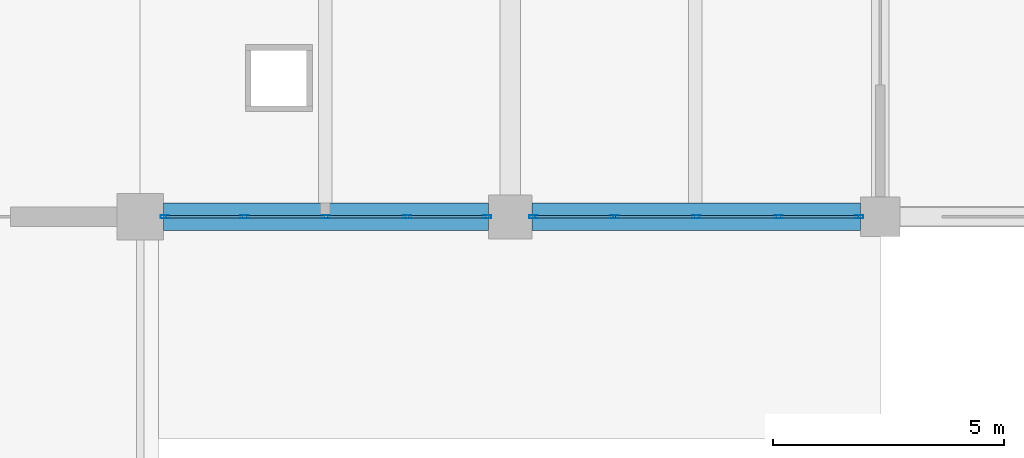
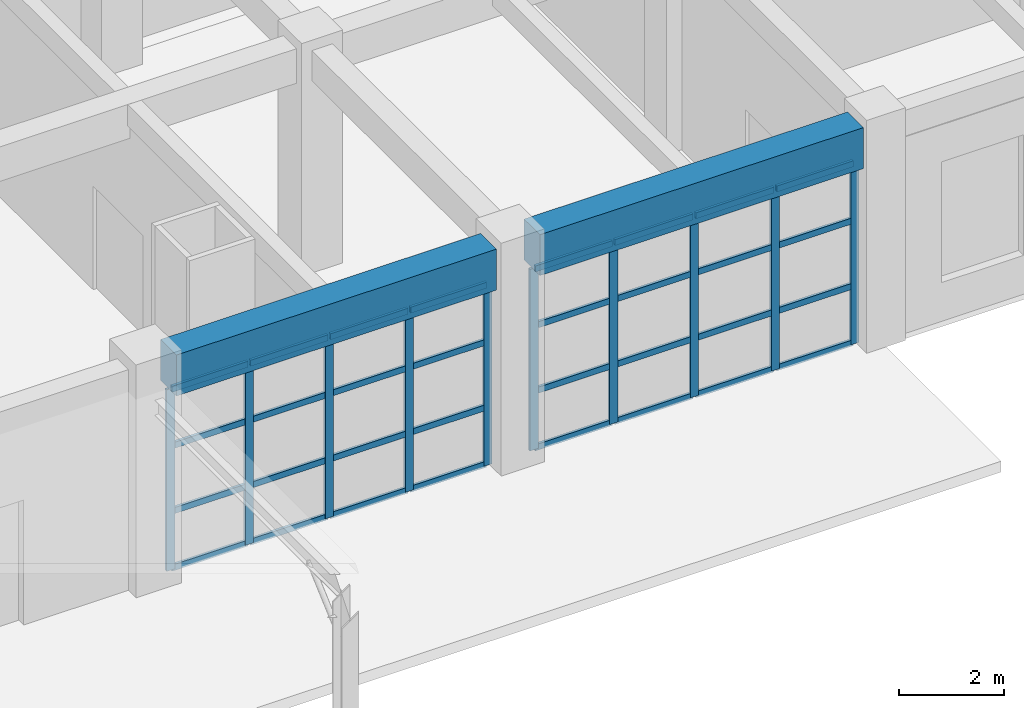
# One storey, part 31 of 95: 42 members, 2 beams, 2 elements without a shape of their own.
"""IFC4 building model written with IfcOpenShell, lengths in metres."""

from ifc_helpers import new_model, si_unit, direction, frame, origin, origin_2d, place, context, subcontext, project, spatial, rectangle, hollow_rectangle, extrude, material, material_profile, profile_set, type_object, element, aggregate, save


model = new_model("IFC4")

# Units and contexts
model_context = context("Model", 3, precision=1e-05, world=origin(), true_north=direction((0.0, 1.0)))
body_context = subcontext(model_context, "Body", "Model", "MODEL_VIEW")
ifc_project = project(units=[si_unit("LENGTHUNIT", "METRE"), si_unit("AREAUNIT", "SQUARE_METRE"), si_unit("VOLUMEUNIT", "CUBIC_METRE"), si_unit("PLANEANGLEUNIT", "RADIAN"), si_unit("MASSUNIT", "GRAM", prefix="KILO")], contexts=[model_context])

# Site, building, storey
site_placement = place(None, origin())
site = spatial("IfcSite", under=ifc_project, at=site_placement, CompositionType="ELEMENT")
building_placement = place(site_placement, origin())
building = spatial("IfcBuilding", under=site, at=building_placement, Name="Zantavel Square City Hall", CompositionType="ELEMENT")
storey_placement = place(building_placement, origin())
storey = spatial("IfcBuildingStorey", under=building, at=storey_placement, Name="L01", CompositionType="ELEMENT", Elevation=0.0)

# Curtain wall, members
ifc_material_1 = material(Name="Anodised aluminium 6063-T6", Category="aluminium")
curtain_wall_type_1 = type_object("IfcCurtainWallType", Name="Curtain Wall TRV1 7100x4210", PredefinedType="USERDEFINED", material=ifc_material_1)
curtain_wall_1_placement = place(storey_placement, origin())
curtain_wall_1 = element("IfcCurtainWall", 1, at=curtain_wall_1_placement, inside=storey, type_object=curtain_wall_type_1, Name="L01 Glazed Curtain Wall CW-L01-001", ObjectType="GLAZED CURTAIN WALL", PredefinedType="USERDEFINED")
ifc_material_profile_1 = material_profile(ifc_material_1, hollow_rectangle(XDim=0.06494140625, YDim=0.179931640625, WallThickness=0.00390625, at=origin_2d()), Name="ALU 65x180x4")
ifc_profile_set_1 = profile_set([ifc_material_profile_1], Name="Anodised aluminium 6063-T6")
member_type_1 = type_object("IfcMemberType", Name="CW Mullion ALU 65x180x4", PredefinedType="MULLION", material=ifc_profile_set_1)
member_1_placement = place(storey_placement, frame((111.544921875, 30.39990234375, 0.0), z_axis=(0.0, 0.0, 1.0), x_axis=(0.0, -1.0, 0.0)))
member_1 = element("IfcMember", 2, at=member_1_placement, type_object=member_type_1, Name="CW-001 mullion 1", PredefinedType="MULLION", context=body_context, shape_type="SweptSolid", body=[
    extrude(hollow_rectangle(XDim=0.06494140625, YDim=0.179931640625, WallThickness=0.00390625, at=origin_2d()), origin(), (0.0, 0.0, 1.0), 4.2099609375),
])
member_2_placement = place(storey_placement, frame((109.800048828125, 30.39990234375, 0.0), z_axis=(0.0, 0.0, 1.0), x_axis=(0.0, -1.0, 0.0)))
member_2 = element("IfcMember", 3, at=member_2_placement, type_object=member_type_1, Name="CW-001 mullion 2", PredefinedType="MULLION", context=body_context, shape_type="SweptSolid", body=[
    extrude(hollow_rectangle(XDim=0.06494140625, YDim=0.179931640625, WallThickness=0.00390625, at=origin_2d()), origin(), (0.0, 0.0, 1.0), 4.2099609375),
])
member_3_placement = place(storey_placement, frame((108.02490234375, 30.39990234375, 0.0), z_axis=(0.0, 0.0, 1.0), x_axis=(0.0, -1.0, 0.0)))
member_3 = element("IfcMember", 4, at=member_3_placement, type_object=member_type_1, Name="CW-001 mullion 3", PredefinedType="MULLION", context=body_context, shape_type="SweptSolid", body=[
    extrude(hollow_rectangle(XDim=0.06494140625, YDim=0.179931640625, WallThickness=0.00390625, at=origin_2d()), origin(), (0.0, 0.0, 1.0), 4.2099609375),
])
member_4_placement = place(storey_placement, frame((106.25, 30.39990234375, 0.0), z_axis=(0.0, 0.0, 1.0), x_axis=(0.0, -1.0, 0.0)))
member_4 = element("IfcMember", 5, at=member_4_placement, type_object=member_type_1, Name="CW-001 mullion 4", PredefinedType="MULLION", context=body_context, shape_type="SweptSolid", body=[
    extrude(hollow_rectangle(XDim=0.06494140625, YDim=0.179931640625, WallThickness=0.00390625, at=origin_2d()), origin(), (0.0, 0.0, 1.0), 4.2099609375),
])
member_5_placement = place(storey_placement, frame((104.5048828125, 30.39990234375, 0.0), z_axis=(0.0, 0.0, 1.0), x_axis=(0.0, -1.0, 0.0)))
member_5 = element("IfcMember", 6, at=member_5_placement, type_object=member_type_1, Name="CW-001 mullion 5", PredefinedType="MULLION", context=body_context, shape_type="SweptSolid", body=[
    extrude(hollow_rectangle(XDim=0.06494140625, YDim=0.179931640625, WallThickness=0.00390625, at=origin_2d()), origin(), (0.0, 0.0, 1.0), 4.2099609375),
])

curtain_wall_type_2 = type_object("IfcCurtainWallType", Name="Curtain Wall TRV1 7025x4210", PredefinedType="USERDEFINED", material=ifc_material_1)
curtain_wall_2_placement = place(storey_placement, origin())
curtain_wall_2 = element("IfcCurtainWall", 7, at=curtain_wall_2_placement, inside=storey, type_object=curtain_wall_type_2, Name="L01 Glazed Curtain Wall CW-L01-002", ObjectType="GLAZED CURTAIN WALL", PredefinedType="USERDEFINED")
member_6_placement = place(storey_placement, frame((103.4951171875, 30.39990234375, 0.0), z_axis=(0.0, 0.0, 1.0), x_axis=(0.0, -1.0, 0.0)))
member_6 = element("IfcMember", 8, at=member_6_placement, type_object=member_type_1, Name="CW-002 mullion 1", PredefinedType="MULLION", context=body_context, shape_type="SweptSolid", body=[
    extrude(hollow_rectangle(XDim=0.06494140625, YDim=0.179931640625, WallThickness=0.00390625, at=origin_2d()), origin(), (0.0, 0.0, 1.0), 4.2099609375),
])
member_7_placement = place(storey_placement, frame((101.768798828125, 30.39990234375, 0.0), z_axis=(0.0, 0.0, 1.0), x_axis=(0.0, -1.0, 0.0)))
member_7 = element("IfcMember", 9, at=member_7_placement, type_object=member_type_1, Name="CW-002 mullion 2", PredefinedType="MULLION", context=body_context, shape_type="SweptSolid", body=[
    extrude(hollow_rectangle(XDim=0.06494140625, YDim=0.179931640625, WallThickness=0.00390625, at=origin_2d()), origin(), (0.0, 0.0, 1.0), 4.2099609375),
])
member_8_placement = place(storey_placement, frame((100.012451171875, 30.39990234375, 0.0), z_axis=(0.0, 0.0, 1.0), x_axis=(0.0, -1.0, 0.0)))
member_8 = element("IfcMember", 10, at=member_8_placement, type_object=member_type_1, Name="CW-002 mullion 3", PredefinedType="MULLION", context=body_context, shape_type="SweptSolid", body=[
    extrude(hollow_rectangle(XDim=0.06494140625, YDim=0.179931640625, WallThickness=0.00390625, at=origin_2d()), origin(), (0.0, 0.0, 1.0), 4.2099609375),
])
member_9_placement = place(storey_placement, frame((98.25634765625, 30.39990234375, 0.0), z_axis=(0.0, 0.0, 1.0), x_axis=(0.0, -1.0, 0.0)))
member_9 = element("IfcMember", 11, at=member_9_placement, type_object=member_type_1, Name="CW-002 mullion 4", PredefinedType="MULLION", context=body_context, shape_type="SweptSolid", body=[
    extrude(hollow_rectangle(XDim=0.06494140625, YDim=0.179931640625, WallThickness=0.00390625, at=origin_2d()), origin(), (0.0, 0.0, 1.0), 4.2099609375),
])
member_10_placement = place(storey_placement, frame((96.530029296875, 30.39990234375, 0.0), z_axis=(0.0, 0.0, 1.0), x_axis=(0.0, -1.0, 0.0)))
member_10 = element("IfcMember", 12, at=member_10_placement, type_object=member_type_1, Name="CW-002 mullion 5", PredefinedType="MULLION", context=body_context, shape_type="SweptSolid", body=[
    extrude(hollow_rectangle(XDim=0.06494140625, YDim=0.179931640625, WallThickness=0.00390625, at=origin_2d()), origin(), (0.0, 0.0, 1.0), 4.2099609375),
])

# Member
ifc_material_profile_2 = material_profile(ifc_material_1, hollow_rectangle(XDim=0.06005859375, YDim=0.139892578125, WallThickness=0.00390625, at=origin_2d()), Name="ALU 60x140x4")
ifc_profile_set_2 = profile_set([ifc_material_profile_2], Name="Anodised aluminium 6063-T6")
member_type_2 = type_object("IfcMemberType", Name="CW Transom ALU 60x140x4", PredefinedType="USERDEFINED", material=ifc_profile_set_2)
member_11_placement = place(storey_placement, frame((111.514892578125, 30.39990234375, 0.030029296875), z_axis=(-1.0, 0.0, 0.0), x_axis=(0.0, -1.0, 0.0)))
member_11 = element("IfcMember", 13, at=member_11_placement, type_object=member_type_2, Name="CW-001 transom 1.1", ObjectType="TRANSOM", PredefinedType="USERDEFINED", context=body_context, shape_type="SweptSolid", body=[
    extrude(hollow_rectangle(XDim=0.06005859375, YDim=0.139892578125, WallThickness=0.00390625, at=origin_2d()), origin(), (0.0, 0.0, 1.0), 1.684814453125),
])

member_12_placement = place(storey_placement, frame((111.514892578125, 30.39990234375, 1.346923828125), z_axis=(-1.0, 0.0, 0.0), x_axis=(0.0, -1.0, 0.0)))
member_12 = element("IfcMember", 14, at=member_12_placement, type_object=member_type_2, Name="CW-001 transom 1.2", ObjectType="TRANSOM", PredefinedType="USERDEFINED", context=body_context, shape_type="SweptSolid", body=[
    extrude(hollow_rectangle(XDim=0.06005859375, YDim=0.139892578125, WallThickness=0.00390625, at=origin_2d()), origin(), (0.0, 0.0, 1.0), 1.684814453125),
])

member_13_placement = place(storey_placement, frame((111.514892578125, 30.39990234375, 2.863037109375), z_axis=(-1.0, 0.0, 0.0), x_axis=(0.0, -1.0, 0.0)))
member_13 = element("IfcMember", 15, at=member_13_placement, type_object=member_type_2, Name="CW-001 transom 1.3", ObjectType="TRANSOM", PredefinedType="USERDEFINED", context=body_context, shape_type="SweptSolid", body=[
    extrude(hollow_rectangle(XDim=0.06005859375, YDim=0.139892578125, WallThickness=0.00390625, at=origin_2d()), origin(), (0.0, 0.0, 1.0), 1.684814453125),
])

member_14_placement = place(storey_placement, frame((111.514892578125, 30.39990234375, 4.179931640625), z_axis=(-1.0, 0.0, 0.0), x_axis=(0.0, -1.0, 0.0)))
member_14 = element("IfcMember", 16, at=member_14_placement, type_object=member_type_2, Name="CW-001 transom 1.4", ObjectType="TRANSOM", PredefinedType="USERDEFINED", context=body_context, shape_type="SweptSolid", body=[
    extrude(hollow_rectangle(XDim=0.06005859375, YDim=0.139892578125, WallThickness=0.00390625, at=origin_2d()), origin(), (0.0, 0.0, 1.0), 1.684814453125),
])

member_15_placement = place(storey_placement, frame((109.77001953125, 30.39990234375, 0.030029296875), z_axis=(-1.0, 0.0, 0.0), x_axis=(0.0, -1.0, 0.0)))
member_15 = element("IfcMember", 17, at=member_15_placement, type_object=member_type_2, Name="CW-001 transom 2.1", ObjectType="TRANSOM", PredefinedType="USERDEFINED", context=body_context, shape_type="SweptSolid", body=[
    extrude(hollow_rectangle(XDim=0.06005859375, YDim=0.139892578125, WallThickness=0.00390625, at=origin_2d()), origin(), (0.0, 0.0, 1.0), 1.715087890625),
])

member_16_placement = place(storey_placement, frame((109.77001953125, 30.39990234375, 1.346923828125), z_axis=(-1.0, 0.0, 0.0), x_axis=(0.0, -1.0, 0.0)))
member_16 = element("IfcMember", 18, at=member_16_placement, type_object=member_type_2, Name="CW-001 transom 2.2", ObjectType="TRANSOM", PredefinedType="USERDEFINED", context=body_context, shape_type="SweptSolid", body=[
    extrude(hollow_rectangle(XDim=0.06005859375, YDim=0.139892578125, WallThickness=0.00390625, at=origin_2d()), origin(), (0.0, 0.0, 1.0), 1.715087890625),
])

member_17_placement = place(storey_placement, frame((109.77001953125, 30.39990234375, 2.863037109375), z_axis=(-1.0, 0.0, 0.0), x_axis=(0.0, -1.0, 0.0)))
member_17 = element("IfcMember", 19, at=member_17_placement, type_object=member_type_2, Name="CW-001 transom 2.3", ObjectType="TRANSOM", PredefinedType="USERDEFINED", context=body_context, shape_type="SweptSolid", body=[
    extrude(hollow_rectangle(XDim=0.06005859375, YDim=0.139892578125, WallThickness=0.00390625, at=origin_2d()), origin(), (0.0, 0.0, 1.0), 1.715087890625),
])

member_18_placement = place(storey_placement, frame((109.77001953125, 30.39990234375, 4.179931640625), z_axis=(-1.0, 0.0, 0.0), x_axis=(0.0, -1.0, 0.0)))
member_18 = element("IfcMember", 20, at=member_18_placement, type_object=member_type_2, Name="CW-001 transom 2.4", ObjectType="TRANSOM", PredefinedType="USERDEFINED", context=body_context, shape_type="SweptSolid", body=[
    extrude(hollow_rectangle(XDim=0.06005859375, YDim=0.139892578125, WallThickness=0.00390625, at=origin_2d()), origin(), (0.0, 0.0, 1.0), 1.715087890625),
])

member_19_placement = place(storey_placement, frame((107.9951171875, 30.39990234375, 0.030029296875), z_axis=(-1.0, 0.0, 0.0), x_axis=(0.0, -1.0, 0.0)))
member_19 = element("IfcMember", 21, at=member_19_placement, type_object=member_type_2, Name="CW-001 transom 3.1", ObjectType="TRANSOM", PredefinedType="USERDEFINED", context=body_context, shape_type="SweptSolid", body=[
    extrude(hollow_rectangle(XDim=0.06005859375, YDim=0.139892578125, WallThickness=0.00390625, at=origin_2d()), origin(), (0.0, 0.0, 1.0), 1.715087890625),
])

member_20_placement = place(storey_placement, frame((107.9951171875, 30.39990234375, 1.346923828125), z_axis=(-1.0, 0.0, 0.0), x_axis=(0.0, -1.0, 0.0)))
member_20 = element("IfcMember", 22, at=member_20_placement, type_object=member_type_2, Name="CW-001 transom 3.2", ObjectType="TRANSOM", PredefinedType="USERDEFINED", context=body_context, shape_type="SweptSolid", body=[
    extrude(hollow_rectangle(XDim=0.06005859375, YDim=0.139892578125, WallThickness=0.00390625, at=origin_2d()), origin(), (0.0, 0.0, 1.0), 1.715087890625),
])

member_21_placement = place(storey_placement, frame((107.9951171875, 30.39990234375, 2.863037109375), z_axis=(-1.0, 0.0, 0.0), x_axis=(0.0, -1.0, 0.0)))
member_21 = element("IfcMember", 23, at=member_21_placement, type_object=member_type_2, Name="CW-001 transom 3.3", ObjectType="TRANSOM", PredefinedType="USERDEFINED", context=body_context, shape_type="SweptSolid", body=[
    extrude(hollow_rectangle(XDim=0.06005859375, YDim=0.139892578125, WallThickness=0.00390625, at=origin_2d()), origin(), (0.0, 0.0, 1.0), 1.715087890625),
])

member_22_placement = place(storey_placement, frame((107.9951171875, 30.39990234375, 4.179931640625), z_axis=(-1.0, 0.0, 0.0), x_axis=(0.0, -1.0, 0.0)))
member_22 = element("IfcMember", 24, at=member_22_placement, type_object=member_type_2, Name="CW-001 transom 3.4", ObjectType="TRANSOM", PredefinedType="USERDEFINED", context=body_context, shape_type="SweptSolid", body=[
    extrude(hollow_rectangle(XDim=0.06005859375, YDim=0.139892578125, WallThickness=0.00390625, at=origin_2d()), origin(), (0.0, 0.0, 1.0), 1.715087890625),
])

member_23_placement = place(storey_placement, frame((106.219970703125, 30.39990234375, 0.030029296875), z_axis=(-1.0, 0.0, 0.0), x_axis=(0.0, -1.0, 0.0)))
member_23 = element("IfcMember", 25, at=member_23_placement, type_object=member_type_2, Name="CW-001 transom 4.1", ObjectType="TRANSOM", PredefinedType="USERDEFINED", context=body_context, shape_type="SweptSolid", body=[
    extrude(hollow_rectangle(XDim=0.06005859375, YDim=0.139892578125, WallThickness=0.00390625, at=origin_2d()), origin(), (0.0, 0.0, 1.0), 1.68505859375),
])

member_24_placement = place(storey_placement, frame((106.219970703125, 30.39990234375, 1.346923828125), z_axis=(-1.0, 0.0, 0.0), x_axis=(0.0, -1.0, 0.0)))
member_24 = element("IfcMember", 26, at=member_24_placement, type_object=member_type_2, Name="CW-001 transom 4.2", ObjectType="TRANSOM", PredefinedType="USERDEFINED", context=body_context, shape_type="SweptSolid", body=[
    extrude(hollow_rectangle(XDim=0.06005859375, YDim=0.139892578125, WallThickness=0.00390625, at=origin_2d()), origin(), (0.0, 0.0, 1.0), 1.68505859375),
])

member_25_placement = place(storey_placement, frame((106.219970703125, 30.39990234375, 2.863037109375), z_axis=(-1.0, 0.0, 0.0), x_axis=(0.0, -1.0, 0.0)))
member_25 = element("IfcMember", 27, at=member_25_placement, type_object=member_type_2, Name="CW-001 transom 4.3", ObjectType="TRANSOM", PredefinedType="USERDEFINED", context=body_context, shape_type="SweptSolid", body=[
    extrude(hollow_rectangle(XDim=0.06005859375, YDim=0.139892578125, WallThickness=0.00390625, at=origin_2d()), origin(), (0.0, 0.0, 1.0), 1.68505859375),
])

member_26_placement = place(storey_placement, frame((106.219970703125, 30.39990234375, 4.179931640625), z_axis=(-1.0, 0.0, 0.0), x_axis=(0.0, -1.0, 0.0)))
member_26 = element("IfcMember", 28, at=member_26_placement, type_object=member_type_2, Name="CW-001 transom 4.4", ObjectType="TRANSOM", PredefinedType="USERDEFINED", context=body_context, shape_type="SweptSolid", body=[
    extrude(hollow_rectangle(XDim=0.06005859375, YDim=0.139892578125, WallThickness=0.00390625, at=origin_2d()), origin(), (0.0, 0.0, 1.0), 1.68505859375),
])

aggregate(curtain_wall_1, [member_1, member_2, member_3, member_4, member_5, member_11, member_12, member_13, member_14, member_15, member_16, member_17, member_18, member_19, member_20, member_21, member_22, member_23, member_24, member_25, member_26])

member_27_placement = place(storey_placement, frame((103.465087890625, 30.39990234375, 0.030029296875), z_axis=(-1.0, 0.0, 0.0), x_axis=(0.0, -1.0, 0.0)))
member_27 = element("IfcMember", 29, at=member_27_placement, type_object=member_type_2, Name="CW-002 transom 1.1", ObjectType="TRANSOM", PredefinedType="USERDEFINED", context=body_context, shape_type="SweptSolid", body=[
    extrude(hollow_rectangle(XDim=0.06005859375, YDim=0.139892578125, WallThickness=0.00390625, at=origin_2d()), origin(), (0.0, 0.0, 1.0), 1.666259765625),
])

member_28_placement = place(storey_placement, frame((103.465087890625, 30.39990234375, 1.346923828125), z_axis=(-1.0, 0.0, 0.0), x_axis=(0.0, -1.0, 0.0)))
member_28 = element("IfcMember", 30, at=member_28_placement, type_object=member_type_2, Name="CW-002 transom 1.2", ObjectType="TRANSOM", PredefinedType="USERDEFINED", context=body_context, shape_type="SweptSolid", body=[
    extrude(hollow_rectangle(XDim=0.06005859375, YDim=0.139892578125, WallThickness=0.00390625, at=origin_2d()), origin(), (0.0, 0.0, 1.0), 1.666259765625),
])

member_29_placement = place(storey_placement, frame((103.465087890625, 30.39990234375, 2.863037109375), z_axis=(-1.0, 0.0, 0.0), x_axis=(0.0, -1.0, 0.0)))
member_29 = element("IfcMember", 31, at=member_29_placement, type_object=member_type_2, Name="CW-002 transom 1.3", ObjectType="TRANSOM", PredefinedType="USERDEFINED", context=body_context, shape_type="SweptSolid", body=[
    extrude(hollow_rectangle(XDim=0.06005859375, YDim=0.139892578125, WallThickness=0.00390625, at=origin_2d()), origin(), (0.0, 0.0, 1.0), 1.666259765625),
])

member_30_placement = place(storey_placement, frame((103.465087890625, 30.39990234375, 4.179931640625), z_axis=(-1.0, 0.0, 0.0), x_axis=(0.0, -1.0, 0.0)))
member_30 = element("IfcMember", 32, at=member_30_placement, type_object=member_type_2, Name="CW-002 transom 1.4", ObjectType="TRANSOM", PredefinedType="USERDEFINED", context=body_context, shape_type="SweptSolid", body=[
    extrude(hollow_rectangle(XDim=0.06005859375, YDim=0.139892578125, WallThickness=0.00390625, at=origin_2d()), origin(), (0.0, 0.0, 1.0), 1.666259765625),
])

member_31_placement = place(storey_placement, frame((101.73876953125, 30.39990234375, 0.030029296875), z_axis=(-1.0, 0.0, 0.0), x_axis=(0.0, -1.0, 0.0)))
member_31 = element("IfcMember", 33, at=member_31_placement, type_object=member_type_2, Name="CW-002 transom 2.1", ObjectType="TRANSOM", PredefinedType="USERDEFINED", context=body_context, shape_type="SweptSolid", body=[
    extrude(hollow_rectangle(XDim=0.06005859375, YDim=0.139892578125, WallThickness=0.00390625, at=origin_2d()), origin(), (0.0, 0.0, 1.0), 1.6962890625),
])

member_32_placement = place(storey_placement, frame((101.73876953125, 30.39990234375, 1.346923828125), z_axis=(-1.0, 0.0, 0.0), x_axis=(0.0, -1.0, 0.0)))
member_32 = element("IfcMember", 34, at=member_32_placement, type_object=member_type_2, Name="CW-002 transom 2.2", ObjectType="TRANSOM", PredefinedType="USERDEFINED", context=body_context, shape_type="SweptSolid", body=[
    extrude(hollow_rectangle(XDim=0.06005859375, YDim=0.139892578125, WallThickness=0.00390625, at=origin_2d()), origin(), (0.0, 0.0, 1.0), 1.6962890625),
])

member_33_placement = place(storey_placement, frame((101.73876953125, 30.39990234375, 2.863037109375), z_axis=(-1.0, 0.0, 0.0), x_axis=(0.0, -1.0, 0.0)))
member_33 = element("IfcMember", 35, at=member_33_placement, type_object=member_type_2, Name="CW-002 transom 2.3", ObjectType="TRANSOM", PredefinedType="USERDEFINED", context=body_context, shape_type="SweptSolid", body=[
    extrude(hollow_rectangle(XDim=0.06005859375, YDim=0.139892578125, WallThickness=0.00390625, at=origin_2d()), origin(), (0.0, 0.0, 1.0), 1.6962890625),
])

member_34_placement = place(storey_placement, frame((101.73876953125, 30.39990234375, 4.179931640625), z_axis=(-1.0, 0.0, 0.0), x_axis=(0.0, -1.0, 0.0)))
member_34 = element("IfcMember", 36, at=member_34_placement, type_object=member_type_2, Name="CW-002 transom 2.4", ObjectType="TRANSOM", PredefinedType="USERDEFINED", context=body_context, shape_type="SweptSolid", body=[
    extrude(hollow_rectangle(XDim=0.06005859375, YDim=0.139892578125, WallThickness=0.00390625, at=origin_2d()), origin(), (0.0, 0.0, 1.0), 1.6962890625),
])

member_35_placement = place(storey_placement, frame((99.982421875, 30.39990234375, 0.030029296875), z_axis=(-1.0, 0.0, 0.0), x_axis=(0.0, -1.0, 0.0)))
member_35 = element("IfcMember", 37, at=member_35_placement, type_object=member_type_2, Name="CW-002 transom 3.1", ObjectType="TRANSOM", PredefinedType="USERDEFINED", context=body_context, shape_type="SweptSolid", body=[
    extrude(hollow_rectangle(XDim=0.06005859375, YDim=0.139892578125, WallThickness=0.00390625, at=origin_2d()), origin(), (0.0, 0.0, 1.0), 1.6962890625),
])

member_36_placement = place(storey_placement, frame((99.982421875, 30.39990234375, 1.346923828125), z_axis=(-1.0, 0.0, 0.0), x_axis=(0.0, -1.0, 0.0)))
member_36 = element("IfcMember", 38, at=member_36_placement, type_object=member_type_2, Name="CW-002 transom 3.2", ObjectType="TRANSOM", PredefinedType="USERDEFINED", context=body_context, shape_type="SweptSolid", body=[
    extrude(hollow_rectangle(XDim=0.06005859375, YDim=0.139892578125, WallThickness=0.00390625, at=origin_2d()), origin(), (0.0, 0.0, 1.0), 1.6962890625),
])

member_37_placement = place(storey_placement, frame((99.982421875, 30.39990234375, 2.863037109375), z_axis=(-1.0, 0.0, 0.0), x_axis=(0.0, -1.0, 0.0)))
member_37 = element("IfcMember", 39, at=member_37_placement, type_object=member_type_2, Name="CW-002 transom 3.3", ObjectType="TRANSOM", PredefinedType="USERDEFINED", context=body_context, shape_type="SweptSolid", body=[
    extrude(hollow_rectangle(XDim=0.06005859375, YDim=0.139892578125, WallThickness=0.00390625, at=origin_2d()), origin(), (0.0, 0.0, 1.0), 1.6962890625),
])

member_38_placement = place(storey_placement, frame((99.982421875, 30.39990234375, 4.179931640625), z_axis=(-1.0, 0.0, 0.0), x_axis=(0.0, -1.0, 0.0)))
member_38 = element("IfcMember", 40, at=member_38_placement, type_object=member_type_2, Name="CW-002 transom 3.4", ObjectType="TRANSOM", PredefinedType="USERDEFINED", context=body_context, shape_type="SweptSolid", body=[
    extrude(hollow_rectangle(XDim=0.06005859375, YDim=0.139892578125, WallThickness=0.00390625, at=origin_2d()), origin(), (0.0, 0.0, 1.0), 1.6962890625),
])

member_39_placement = place(storey_placement, frame((98.226318359375, 30.39990234375, 0.030029296875), z_axis=(-1.0, 0.0, 0.0), x_axis=(0.0, -1.0, 0.0)))
member_39 = element("IfcMember", 41, at=member_39_placement, type_object=member_type_2, Name="CW-002 transom 4.1", ObjectType="TRANSOM", PredefinedType="USERDEFINED", context=body_context, shape_type="SweptSolid", body=[
    extrude(hollow_rectangle(XDim=0.06005859375, YDim=0.139892578125, WallThickness=0.00390625, at=origin_2d()), origin(), (0.0, 0.0, 1.0), 1.666259765625),
])

member_40_placement = place(storey_placement, frame((98.226318359375, 30.39990234375, 1.346923828125), z_axis=(-1.0, 0.0, 0.0), x_axis=(0.0, -1.0, 0.0)))
member_40 = element("IfcMember", 42, at=member_40_placement, type_object=member_type_2, Name="CW-002 transom 4.2", ObjectType="TRANSOM", PredefinedType="USERDEFINED", context=body_context, shape_type="SweptSolid", body=[
    extrude(hollow_rectangle(XDim=0.06005859375, YDim=0.139892578125, WallThickness=0.00390625, at=origin_2d()), origin(), (0.0, 0.0, 1.0), 1.666259765625),
])

member_41_placement = place(storey_placement, frame((98.226318359375, 30.39990234375, 2.863037109375), z_axis=(-1.0, 0.0, 0.0), x_axis=(0.0, -1.0, 0.0)))
member_41 = element("IfcMember", 43, at=member_41_placement, type_object=member_type_2, Name="CW-002 transom 4.3", ObjectType="TRANSOM", PredefinedType="USERDEFINED", context=body_context, shape_type="SweptSolid", body=[
    extrude(hollow_rectangle(XDim=0.06005859375, YDim=0.139892578125, WallThickness=0.00390625, at=origin_2d()), origin(), (0.0, 0.0, 1.0), 1.666259765625),
])

member_42_placement = place(storey_placement, frame((98.226318359375, 30.39990234375, 4.179931640625), z_axis=(-1.0, 0.0, 0.0), x_axis=(0.0, -1.0, 0.0)))
member_42 = element("IfcMember", 44, at=member_42_placement, type_object=member_type_2, Name="CW-002 transom 4.4", ObjectType="TRANSOM", PredefinedType="USERDEFINED", context=body_context, shape_type="SweptSolid", body=[
    extrude(hollow_rectangle(XDim=0.06005859375, YDim=0.139892578125, WallThickness=0.00390625, at=origin_2d()), origin(), (0.0, 0.0, 1.0), 1.666259765625),
])

aggregate(curtain_wall_2, [member_6, member_7, member_8, member_9, member_10, member_27, member_28, member_29, member_30, member_31, member_32, member_33, member_34, member_35, member_36, member_37, member_38, member_39, member_40, member_41, member_42])

# Beams
ifc_material_2 = material(Name="Concrete C40/50", Category="concrete")
ifc_material_profile_3 = material_profile(ifc_material_2, rectangle(XDim=0.60009765625, YDim=0.949951171875, at=origin_2d()), Name="RC 600x950")
ifc_profile_set_3 = profile_set([ifc_material_profile_3], Name="Concrete C40/50")
beam_type = type_object("IfcBeamType", Name="Plaza Portico Edge Girder RC 600x950 C40/50", PredefinedType="BEAM", material=ifc_profile_set_3)
beam_1_placement = place(storey_placement, frame((96.5, 30.39990234375, 4.68505859375), z_axis=(1.0, 0.0, 0.0), x_axis=(0.0, 1.0, 0.0)))
element("IfcBeam", 45, at=beam_1_placement, inside=storey, type_object=beam_type, Name="L01 Girder BMX-L01-0960-0304", PredefinedType="BEAM", context=body_context, shape_type="SweptSolid", body=[
    extrude(rectangle(XDim=0.60009765625, YDim=0.949951171875, at=origin_2d()), origin(), (0.0, 0.0, 1.0), 7.02490234375),
])
beam_2_placement = place(storey_placement, frame((104.47509765625, 30.39990234375, 4.68505859375), z_axis=(1.0, 0.0, 0.0), x_axis=(0.0, 1.0, 0.0)))
element("IfcBeam", 46, at=beam_2_placement, inside=storey, type_object=beam_type, Name="L01 Girder BMX-L01-1040-0304", PredefinedType="BEAM", context=body_context, shape_type="SweptSolid", body=[
    extrude(rectangle(XDim=0.60009765625, YDim=0.949951171875, at=origin_2d()), origin(), (0.0, 0.0, 1.0), 7.099853515625),
])

save(model, "model.ifc")
